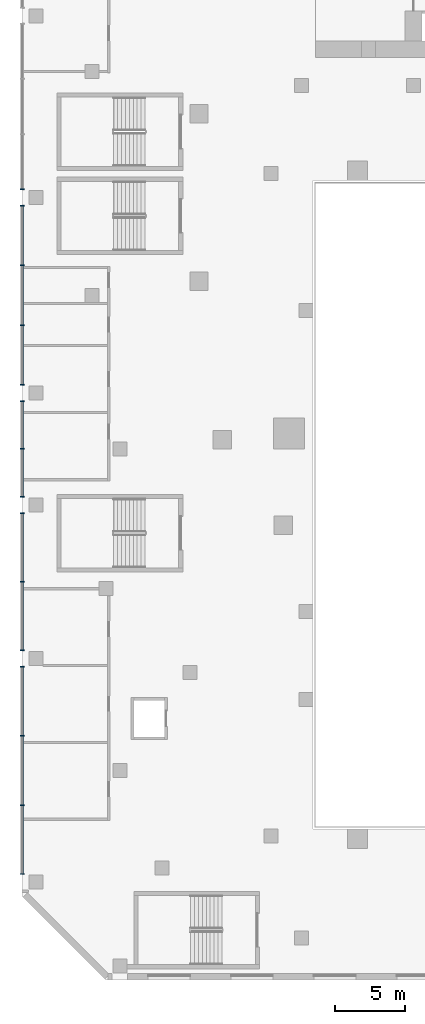
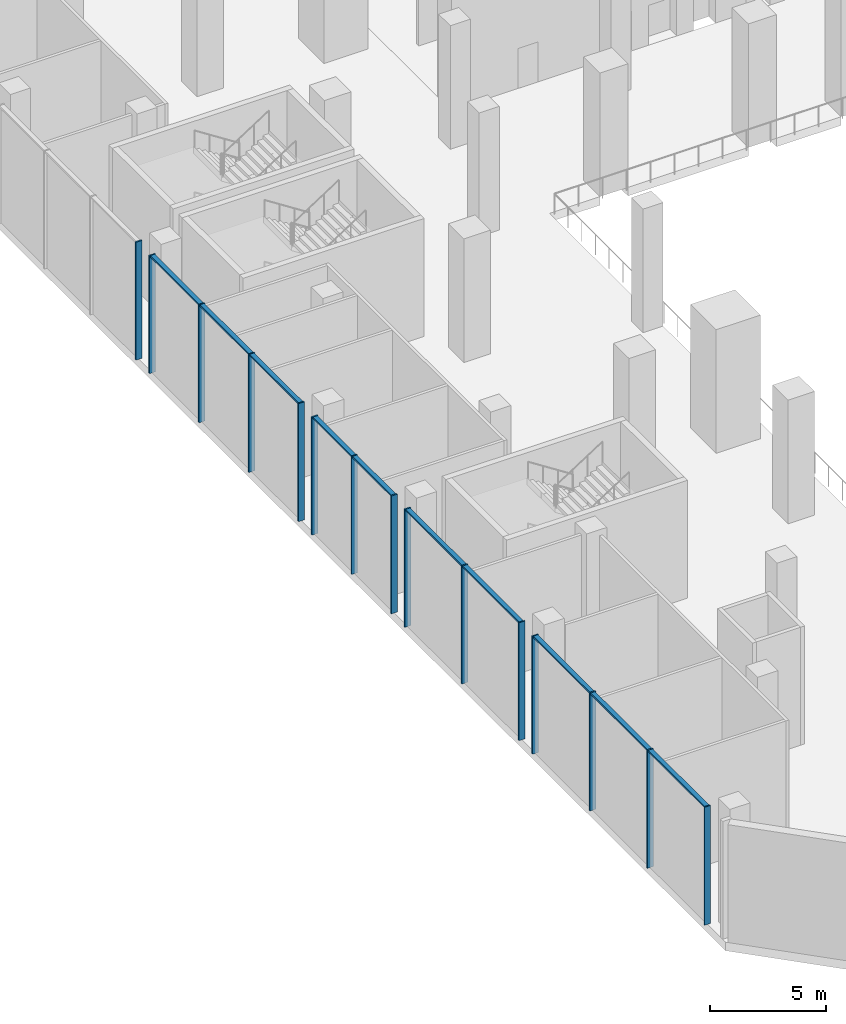
# One storey, part 2 of 30: 25 members, 5 elements without a shape of their own.
"""IFC4 building model written with IfcOpenShell, lengths in metres."""

from ifc_helpers import new_model, si_unit, direction, frame, origin, origin_2d, place, context, subcontext, project, spatial, rectangle, extrude, material, material_profile, profile_set, type_object, element, aggregate, save


model = new_model("IFC4")

# Units and contexts
model_context = context("Model", 3, precision=1e-05, world=origin(), true_north=direction((0.0, 1.0)))
body_context = subcontext(model_context, "Body", "Model", "MODEL_VIEW")
ifc_project = project(units=[si_unit("LENGTHUNIT", "METRE"), si_unit("AREAUNIT", "SQUARE_METRE"), si_unit("VOLUMEUNIT", "CUBIC_METRE"), si_unit("PLANEANGLEUNIT", "RADIAN"), si_unit("MASSUNIT", "GRAM", prefix="KILO")], contexts=[model_context])

# Site, building, storey
site_placement = place(None, origin())
site = spatial("IfcSite", under=ifc_project, at=site_placement, CompositionType="ELEMENT")
building_placement = place(site_placement, origin())
building = spatial("IfcBuilding", under=site, at=building_placement, Name="Wharfspan Tower", CompositionType="ELEMENT")
storey_placement = place(building_placement, frame((0.0, 0.0, 15.0)))
storey = spatial("IfcBuildingStorey", under=building, at=storey_placement, Name="L02", CompositionType="ELEMENT", Elevation=15.0)

# Curtain wall, member
ifc_material = material(Name="Aluminium 6063-T6", Category="aluminium")
curtain_wall_type = type_object("IfcCurtainWallType", Name="CURTAIN WALL ARENA STICK WALL", PredefinedType="NOTDEFINED", material=ifc_material)
curtain_wall_1_placement = place(storey_placement, origin())
curtain_wall_1 = element("IfcCurtainWall", 1, at=curtain_wall_1_placement, inside=storey, type_object=curtain_wall_type, Name="Concourse stick wall PF12.3", PredefinedType="NOTDEFINED")
ifc_material_profile_1 = material_profile(ifc_material, rectangle(XDim=0.300049, YDim=0.070068, at=origin_2d()))
ifc_profile_set_1 = profile_set([ifc_material_profile_1], Name="Aluminium 6063-T6")
member_type_1 = type_object("IfcMemberType", Name="MULLION ARENA STICK WALL 70x300", PredefinedType="MULLION", material=ifc_profile_set_1)
member_1_placement = place(storey_placement, frame((-12.0, 24.584961, 0.0), z_axis=(0.0, 0.0, 1.0), x_axis=(1.0, 0.0, 0.0)))
member_1 = element("IfcMember", 2, at=member_1_placement, type_object=member_type_1, Name="Concourse stick wall PF12.3 mullion 4", PredefinedType="MULLION", context=body_context, shape_type="SweptSolid", body=[
    extrude(rectangle(XDim=0.300049, YDim=0.070068, at=origin_2d()), origin(), (0.0, 0.0, 1.0), 6.199951),
])
aggregate(curtain_wall_1, [member_1])

# Curtain wall, members
curtain_wall_2_placement = place(storey_placement, origin())
curtain_wall_2 = element("IfcCurtainWall", 3, at=curtain_wall_2_placement, inside=storey, type_object=curtain_wall_type, Name="Concourse stick wall PF12.4", PredefinedType="NOTDEFINED")
member_2_placement = place(storey_placement, frame((-12.0, 23.415039, 0.0), z_axis=(0.0, 0.0, 1.0), x_axis=(1.0, 0.0, 0.0)))
member_2 = element("IfcMember", 4, at=member_2_placement, type_object=member_type_1, Name="Concourse stick wall PF12.4 mullion 1", PredefinedType="MULLION", context=body_context, shape_type="SweptSolid", body=[
    extrude(rectangle(XDim=0.300049, YDim=0.070068, at=origin_2d()), origin(), (0.0, 0.0, 1.0), 6.199951),
])
member_3_placement = place(storey_placement, frame((-12.0, 19.149902, 0.0), z_axis=(0.0, 0.0, 1.0), x_axis=(1.0, 0.0, 0.0)))
member_3 = element("IfcMember", 5, at=member_3_placement, type_object=member_type_1, Name="Concourse stick wall PF12.4 mullion 2", PredefinedType="MULLION", context=body_context, shape_type="SweptSolid", body=[
    extrude(rectangle(XDim=0.300049, YDim=0.070068, at=origin_2d()), origin(), (0.0, 0.0, 1.0), 6.199951),
])
member_4_placement = place(storey_placement, frame((-12.0, 14.850098, 0.0), z_axis=(0.0, 0.0, 1.0), x_axis=(1.0, 0.0, 0.0)))
member_4 = element("IfcMember", 6, at=member_4_placement, type_object=member_type_1, Name="Concourse stick wall PF12.4 mullion 3", PredefinedType="MULLION", context=body_context, shape_type="SweptSolid", body=[
    extrude(rectangle(XDim=0.300049, YDim=0.070068, at=origin_2d()), origin(), (0.0, 0.0, 1.0), 6.199951),
])
member_5_placement = place(storey_placement, frame((-12.0, 10.584961, 0.0), z_axis=(0.0, 0.0, 1.0), x_axis=(1.0, 0.0, 0.0)))
member_5 = element("IfcMember", 7, at=member_5_placement, type_object=member_type_1, Name="Concourse stick wall PF12.4 mullion 4", PredefinedType="MULLION", context=body_context, shape_type="SweptSolid", body=[
    extrude(rectangle(XDim=0.300049, YDim=0.070068, at=origin_2d()), origin(), (0.0, 0.0, 1.0), 6.199951),
])

curtain_wall_3_placement = place(storey_placement, origin())
curtain_wall_3 = element("IfcCurtainWall", 8, at=curtain_wall_3_placement, inside=storey, type_object=curtain_wall_type, Name="Concourse stick wall PF12.5", PredefinedType="NOTDEFINED")
member_6_placement = place(storey_placement, frame((-12.0, 9.415039, 0.0), z_axis=(0.0, 0.0, 1.0), x_axis=(1.0, 0.0, 0.0)))
member_6 = element("IfcMember", 9, at=member_6_placement, type_object=member_type_1, Name="Concourse stick wall PF12.5 mullion 1", PredefinedType="MULLION", context=body_context, shape_type="SweptSolid", body=[
    extrude(rectangle(XDim=0.300049, YDim=0.070068, at=origin_2d()), origin(), (0.0, 0.0, 1.0), 6.199951),
])
member_7_placement = place(storey_placement, frame((-12.0, 6.0, 0.0), z_axis=(0.0, 0.0, 1.0), x_axis=(1.0, 0.0, 0.0)))
member_7 = element("IfcMember", 10, at=member_7_placement, type_object=member_type_1, Name="Concourse stick wall PF12.5 mullion 2", PredefinedType="MULLION", context=body_context, shape_type="SweptSolid", body=[
    extrude(rectangle(XDim=0.300049, YDim=0.070068, at=origin_2d()), origin(), (0.0, 0.0, 1.0), 6.199951),
])
member_8_placement = place(storey_placement, frame((-12.0, 2.584961, 0.0), z_axis=(0.0, 0.0, 1.0), x_axis=(1.0, 0.0, 0.0)))
member_8 = element("IfcMember", 11, at=member_8_placement, type_object=member_type_1, Name="Concourse stick wall PF12.5 mullion 3", PredefinedType="MULLION", context=body_context, shape_type="SweptSolid", body=[
    extrude(rectangle(XDim=0.300049, YDim=0.070068, at=origin_2d()), origin(), (0.0, 0.0, 1.0), 6.199951),
])

curtain_wall_4_placement = place(storey_placement, origin())
curtain_wall_4 = element("IfcCurtainWall", 12, at=curtain_wall_4_placement, inside=storey, type_object=curtain_wall_type, Name="Concourse stick wall PF12.6", PredefinedType="NOTDEFINED")
member_9_placement = place(storey_placement, frame((-12.0, 1.415039, 0.0), z_axis=(0.0, 0.0, 1.0), x_axis=(1.0, 0.0, 0.0)))
member_9 = element("IfcMember", 13, at=member_9_placement, type_object=member_type_1, Name="Concourse stick wall PF12.6 mullion 1", PredefinedType="MULLION", context=body_context, shape_type="SweptSolid", body=[
    extrude(rectangle(XDim=0.300049, YDim=0.070068, at=origin_2d()), origin(), (0.0, 0.0, 1.0), 6.199951),
])
member_10_placement = place(storey_placement, frame((-12.0, -3.5, 0.0), z_axis=(0.0, 0.0, 1.0), x_axis=(1.0, 0.0, 0.0)))
member_10 = element("IfcMember", 14, at=member_10_placement, type_object=member_type_1, Name="Concourse stick wall PF12.6 mullion 2", PredefinedType="MULLION", context=body_context, shape_type="SweptSolid", body=[
    extrude(rectangle(XDim=0.300049, YDim=0.070068, at=origin_2d()), origin(), (0.0, 0.0, 1.0), 6.199951),
])
member_11_placement = place(storey_placement, frame((-12.0, -8.415039, 0.0), z_axis=(0.0, 0.0, 1.0), x_axis=(1.0, 0.0, 0.0)))
member_11 = element("IfcMember", 15, at=member_11_placement, type_object=member_type_1, Name="Concourse stick wall PF12.6 mullion 3", PredefinedType="MULLION", context=body_context, shape_type="SweptSolid", body=[
    extrude(rectangle(XDim=0.300049, YDim=0.070068, at=origin_2d()), origin(), (0.0, 0.0, 1.0), 6.199951),
])

curtain_wall_5_placement = place(storey_placement, origin())
curtain_wall_5 = element("IfcCurtainWall", 16, at=curtain_wall_5_placement, inside=storey, type_object=curtain_wall_type, Name="Concourse stick wall PF12.7", PredefinedType="NOTDEFINED")
member_12_placement = place(storey_placement, frame((-12.0, -9.584961, 0.0), z_axis=(0.0, 0.0, 1.0), x_axis=(1.0, 0.0, 0.0)))
member_12 = element("IfcMember", 17, at=member_12_placement, type_object=member_type_1, Name="Concourse stick wall PF12.7 mullion 1", PredefinedType="MULLION", context=body_context, shape_type="SweptSolid", body=[
    extrude(rectangle(XDim=0.300049, YDim=0.070068, at=origin_2d()), origin(), (0.0, 0.0, 1.0), 6.199951),
])
member_13_placement = place(storey_placement, frame((-12.0, -14.516602, 0.0), z_axis=(0.0, 0.0, 1.0), x_axis=(1.0, 0.0, 0.0)))
member_13 = element("IfcMember", 18, at=member_13_placement, type_object=member_type_1, Name="Concourse stick wall PF12.7 mullion 2", PredefinedType="MULLION", context=body_context, shape_type="SweptSolid", body=[
    extrude(rectangle(XDim=0.300049, YDim=0.070068, at=origin_2d()), origin(), (0.0, 0.0, 1.0), 6.199951),
])
member_14_placement = place(storey_placement, frame((-12.0, -19.483398, 0.0), z_axis=(0.0, 0.0, 1.0), x_axis=(1.0, 0.0, 0.0)))
member_14 = element("IfcMember", 19, at=member_14_placement, type_object=member_type_1, Name="Concourse stick wall PF12.7 mullion 3", PredefinedType="MULLION", context=body_context, shape_type="SweptSolid", body=[
    extrude(rectangle(XDim=0.300049, YDim=0.070068, at=origin_2d()), origin(), (0.0, 0.0, 1.0), 6.199951),
])
member_15_placement = place(storey_placement, frame((-12.0, -24.415039, 0.0), z_axis=(0.0, 0.0, 1.0), x_axis=(1.0, 0.0, 0.0)))
member_15 = element("IfcMember", 20, at=member_15_placement, type_object=member_type_1, Name="Concourse stick wall PF12.7 mullion 4", PredefinedType="MULLION", context=body_context, shape_type="SweptSolid", body=[
    extrude(rectangle(XDim=0.300049, YDim=0.070068, at=origin_2d()), origin(), (0.0, 0.0, 1.0), 6.199951),
])

# Member
ifc_material_profile_2 = material_profile(ifc_material, rectangle(XDim=0.219971, YDim=0.090088, at=origin_2d()))
ifc_profile_set_2 = profile_set([ifc_material_profile_2], Name="Aluminium 6063-T6")
member_type_2 = type_object("IfcMemberType", Name="TRANSOM ARENA STICK WALL 90x220", PredefinedType="USERDEFINED", material=ifc_profile_set_2)
member_16_placement = place(storey_placement, frame((-12.0, 23.379883, 6.155029), z_axis=(0.0, -1.0, 0.0), x_axis=(1.0, 0.0, 0.0)))
member_16 = element("IfcMember", 21, at=member_16_placement, type_object=member_type_2, Name="Concourse stick wall PF12.4 transom 1", ObjectType="TRANSOM", PredefinedType="USERDEFINED", context=body_context, shape_type="SweptSolid", body=[
    extrude(rectangle(XDim=0.219971, YDim=0.090088, at=origin_2d()), origin(), (0.0, 0.0, 1.0), 4.194824),
])

member_17_placement = place(storey_placement, frame((-12.0, 19.11499, 6.155029), z_axis=(0.0, -1.0, 0.0), x_axis=(1.0, 0.0, 0.0)))
member_17 = element("IfcMember", 22, at=member_17_placement, type_object=member_type_2, Name="Concourse stick wall PF12.4 transom 2", ObjectType="TRANSOM", PredefinedType="USERDEFINED", context=body_context, shape_type="SweptSolid", body=[
    extrude(rectangle(XDim=0.219971, YDim=0.090088, at=origin_2d()), origin(), (0.0, 0.0, 1.0), 4.22998),
])

member_18_placement = place(storey_placement, frame((-12.0, 14.814941, 6.155029), z_axis=(0.0, -1.0, 0.0), x_axis=(1.0, 0.0, 0.0)))
member_18 = element("IfcMember", 23, at=member_18_placement, type_object=member_type_2, Name="Concourse stick wall PF12.4 transom 3", ObjectType="TRANSOM", PredefinedType="USERDEFINED", context=body_context, shape_type="SweptSolid", body=[
    extrude(rectangle(XDim=0.219971, YDim=0.090088, at=origin_2d()), origin(), (0.0, 0.0, 1.0), 4.194824),
])

aggregate(curtain_wall_2, [member_2, member_3, member_4, member_5, member_16, member_17, member_18])

member_19_placement = place(storey_placement, frame((-12.0, 9.379883, 6.155029), z_axis=(0.0, -1.0, 0.0), x_axis=(1.0, 0.0, 0.0)))
member_19 = element("IfcMember", 24, at=member_19_placement, type_object=member_type_2, Name="Concourse stick wall PF12.5 transom 1", ObjectType="TRANSOM", PredefinedType="USERDEFINED", context=body_context, shape_type="SweptSolid", body=[
    extrude(rectangle(XDim=0.219971, YDim=0.090088, at=origin_2d()), origin(), (0.0, 0.0, 1.0), 3.344971),
])

member_20_placement = place(storey_placement, frame((-12.0, 5.965088, 6.155029), z_axis=(0.0, -1.0, 0.0), x_axis=(1.0, 0.0, 0.0)))
member_20 = element("IfcMember", 25, at=member_20_placement, type_object=member_type_2, Name="Concourse stick wall PF12.5 transom 2", ObjectType="TRANSOM", PredefinedType="USERDEFINED", context=body_context, shape_type="SweptSolid", body=[
    extrude(rectangle(XDim=0.219971, YDim=0.090088, at=origin_2d()), origin(), (0.0, 0.0, 1.0), 3.344971),
])

aggregate(curtain_wall_3, [member_6, member_7, member_8, member_19, member_20])

member_21_placement = place(storey_placement, frame((-12.0, 1.379883, 6.155029), z_axis=(0.0, -1.0, 0.0), x_axis=(1.0, 0.0, 0.0)))
member_21 = element("IfcMember", 26, at=member_21_placement, type_object=member_type_2, Name="Concourse stick wall PF12.6 transom 1", ObjectType="TRANSOM", PredefinedType="USERDEFINED", context=body_context, shape_type="SweptSolid", body=[
    extrude(rectangle(XDim=0.219971, YDim=0.090088, at=origin_2d()), origin(), (0.0, 0.0, 1.0), 4.844971),
])

member_22_placement = place(storey_placement, frame((-12.0, -3.534912, 6.155029), z_axis=(0.0, -1.0, 0.0), x_axis=(1.0, 0.0, 0.0)))
member_22 = element("IfcMember", 27, at=member_22_placement, type_object=member_type_2, Name="Concourse stick wall PF12.6 transom 2", ObjectType="TRANSOM", PredefinedType="USERDEFINED", context=body_context, shape_type="SweptSolid", body=[
    extrude(rectangle(XDim=0.219971, YDim=0.090088, at=origin_2d()), origin(), (0.0, 0.0, 1.0), 4.844971),
])

aggregate(curtain_wall_4, [member_9, member_10, member_11, member_21, member_22])

member_23_placement = place(storey_placement, frame((-12.0, -9.620117, 6.155029), z_axis=(0.0, -1.0, 0.0), x_axis=(1.0, 0.0, 0.0)))
member_23 = element("IfcMember", 28, at=member_23_placement, type_object=member_type_2, Name="Concourse stick wall PF12.7 transom 1", ObjectType="TRANSOM", PredefinedType="USERDEFINED", context=body_context, shape_type="SweptSolid", body=[
    extrude(rectangle(XDim=0.219971, YDim=0.090088, at=origin_2d()), origin(), (0.0, 0.0, 1.0), 4.861572),
])

member_24_placement = place(storey_placement, frame((-12.0, -14.551758, 6.155029), z_axis=(0.0, -1.0, 0.0), x_axis=(1.0, 0.0, 0.0)))
member_24 = element("IfcMember", 29, at=member_24_placement, type_object=member_type_2, Name="Concourse stick wall PF12.7 transom 2", ObjectType="TRANSOM", PredefinedType="USERDEFINED", context=body_context, shape_type="SweptSolid", body=[
    extrude(rectangle(XDim=0.219971, YDim=0.090088, at=origin_2d()), origin(), (0.0, 0.0, 1.0), 4.896484),
])

member_25_placement = place(storey_placement, frame((-12.0, -19.518311, 6.155029), z_axis=(0.0, -1.0, 0.0), x_axis=(1.0, 0.0, 0.0)))
member_25 = element("IfcMember", 30, at=member_25_placement, type_object=member_type_2, Name="Concourse stick wall PF12.7 transom 3", ObjectType="TRANSOM", PredefinedType="USERDEFINED", context=body_context, shape_type="SweptSolid", body=[
    extrude(rectangle(XDim=0.219971, YDim=0.090088, at=origin_2d()), origin(), (0.0, 0.0, 1.0), 4.861572),
])

aggregate(curtain_wall_5, [member_12, member_13, member_14, member_15, member_23, member_24, member_25])

save(model, "model.ifc")
